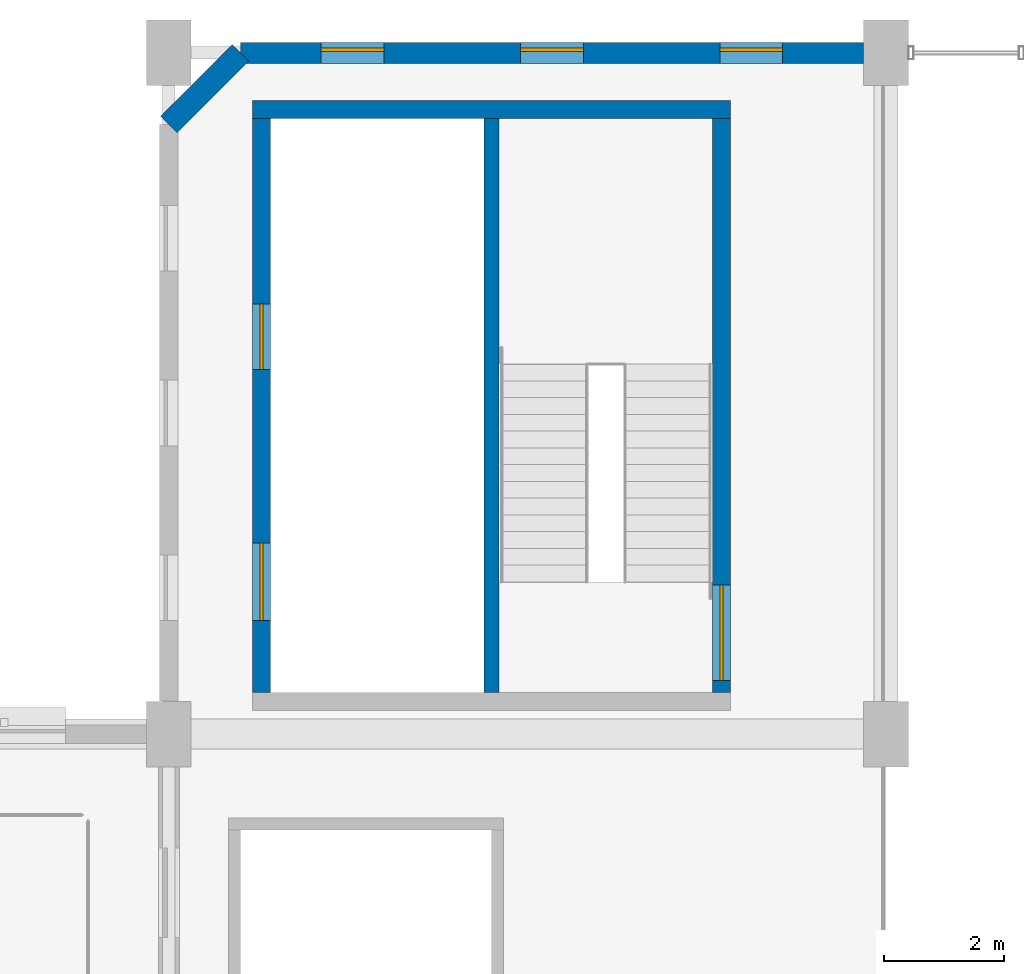
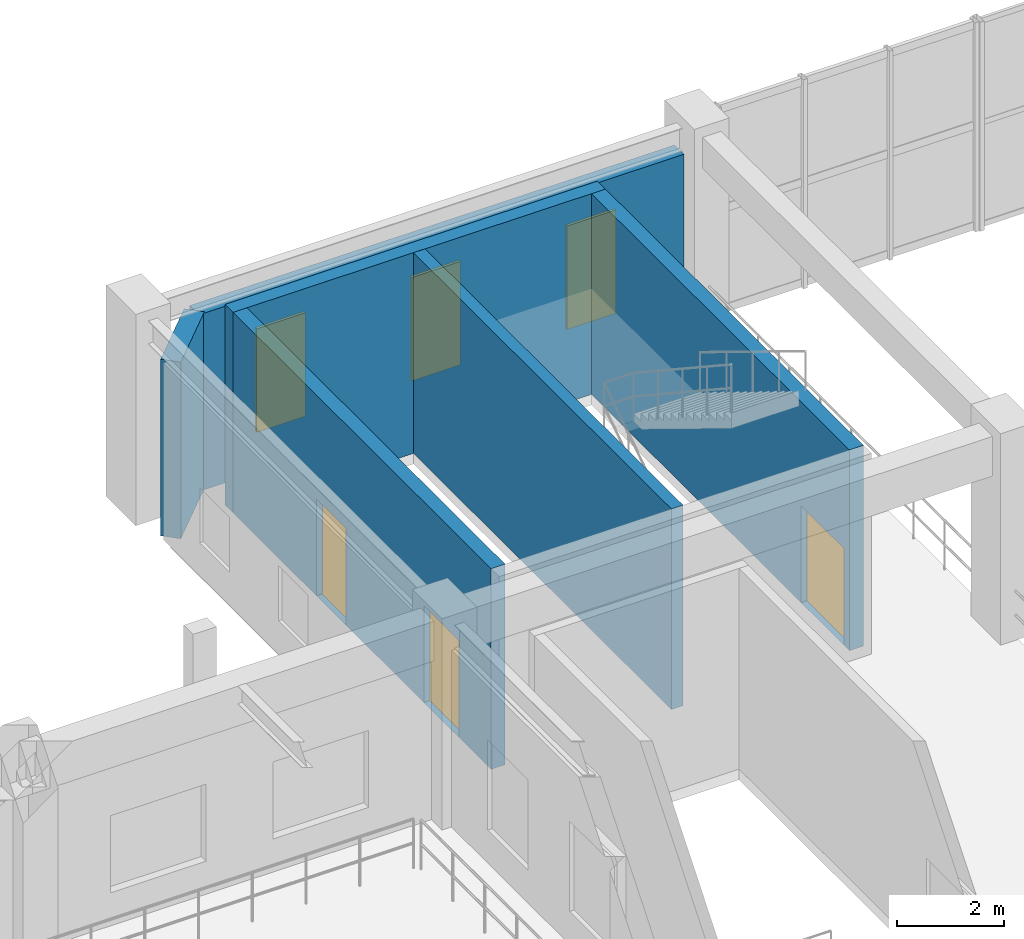
# One storey, part 88 of 106: 6 walls, 3 doors, 3 windows, 6 openings.
"""IFC4 building model written with IfcOpenShell, lengths in metres."""

from ifc_helpers import new_model, si_unit, direction, frame, frame_2d, origin, place, context, subcontext, project, spatial, rectangle, extrude, material, layer, layer_set, type_object, element, fill, save


model = new_model("IFC4")

# Units and contexts
model_context = context("Model", 3, precision=1e-05, world=origin(), true_north=direction((0.0, 1.0)))
body_context = subcontext(model_context, "Body", "Model", "MODEL_VIEW")
ifc_project = project(units=[si_unit("LENGTHUNIT", "METRE"), si_unit("AREAUNIT", "SQUARE_METRE"), si_unit("VOLUMEUNIT", "CUBIC_METRE"), si_unit("PLANEANGLEUNIT", "RADIAN"), si_unit("MASSUNIT", "GRAM", prefix="KILO"), si_unit("POWERUNIT", "WATT"), si_unit("THERMODYNAMICTEMPERATUREUNIT", "KELVIN")], contexts=[model_context])

# Site, building, storey
site_placement = place(None, origin())
site = spatial("IfcSite", under=ifc_project, at=site_placement, CompositionType="ELEMENT")
building_placement = place(site_placement, origin())
building = spatial("IfcBuilding", under=site, at=building_placement, Name="Kelmbourne Parkland Aquatics Centre", CompositionType="ELEMENT")
storey_placement = place(building_placement, frame((0.0, 0.0, 5.39990234375)))
storey = spatial("IfcBuildingStorey", under=building, at=storey_placement, Name="L01", CompositionType="ELEMENT", Elevation=5.39990234375)

# Walls
ifc_material_1 = material(Name="Concrete C40/50", Category="concrete")
ifc_layer_1 = layer(ifc_material_1, 0.25)
ifc_layer_set_1 = layer_set([ifc_layer_1], Name="Concrete C40/50")
wall_type_1 = type_object("IfcWallType", Name="W-CORE-250", PredefinedType="SHEAR", material=ifc_layer_set_1)
wall_1_placement = place(storey_placement, frame((133.39990234375, 104.10009765625, 0.0), z_axis=(0.0, 0.0, 1.0), x_axis=(0.0, 1.0, 0.0)))
element("IfcWall", 1, at=wall_1_placement, inside=storey, type_object=wall_type_1, Name="North Diving Control Fire-Fighting Core divider wall (L01)", PredefinedType="SHEAR", context=body_context, shape_type="SweptSolid", body=[
    extrude(rectangle(XDim=9.599853515625, YDim=0.25, at=frame_2d((4.7998046875, 0.0))), origin(), (0.0, 0.0, 1.0), 4.56005859375),
])
ifc_layer_2 = layer(ifc_material_1, 0.300048828125)
ifc_layer_set_2 = layer_set([ifc_layer_2], Name="Concrete C40/50")
wall_type_2 = type_object("IfcWallType", Name="W-CORE-300", PredefinedType="SHEAR", material=ifc_layer_set_2)
wall_2_placement = place(storey_placement, frame((129.39990234375, 113.85009765625, 0.0), z_axis=(0.0, 0.0, 1.0), x_axis=(1.0, 0.0, 0.0)))
element("IfcWall", 2, at=wall_2_placement, inside=storey, type_object=wall_type_2, Name="North Diving Control Fire-Fighting Core north wall (L01)", PredefinedType="SHEAR", context=body_context, shape_type="SweptSolid", body=[
    extrude(rectangle(XDim=8.0, YDim=0.300048828125, at=frame_2d((4.0, 0.0))), origin(), (0.0, 0.0, 1.0), 4.56005859375),
])

# Wall, openings, doors
wall_3_placement = place(storey_placement, frame((129.550048828125, 104.10009765625, 0.0), z_axis=(0.0, 0.0, 1.0), x_axis=(0.0, 1.0, 0.0)))
wall_3 = element("IfcWall", 3, at=wall_3_placement, inside=storey, type_object=wall_type_2, Name="North Diving Control Fire-Fighting Core west wall (L01)", PredefinedType="SHEAR", context=body_context, shape_type="SweptSolid", body=[
    extrude(rectangle(XDim=9.599853515625, YDim=0.300048828125, at=frame_2d((4.7998046875, 0.0))), origin(), (0.0, 0.0, 1.0), 4.56005859375),
])
opening_1_placement = place(wall_3_placement, frame((1.199951171875, 0.0, 0.0)))
opening_1 = element("IfcOpeningElement", 4, at=opening_1_placement, cuts=wall_3, Name="Opening LD02", PredefinedType="OPENING", context=body_context, shape_type="SweptSolid", body=[
    extrude(rectangle(XDim=1.300048828125, YDim=2.199951171875, at=frame_2d((0.64990234375, 1.10009765625))), frame((0.0, 0.162109375, 0.0), z_axis=(0.0, -1.0, 0.0), x_axis=(1.0, 0.0, 0.0)), (0.0, 0.0, 1.0), 0.323974609375),
])
opening_2_placement = place(wall_3_placement, frame((5.39990234375, 0.0, 0.0)))
opening_2 = element("IfcOpeningElement", 5, at=opening_2_placement, cuts=wall_3, Name="Opening LD01", PredefinedType="OPENING", context=body_context, shape_type="SweptSolid", body=[
    extrude(rectangle(XDim=1.10009765625, YDim=2.199951171875, at=frame_2d((0.550048828125, 1.10009765625))), frame((0.0, 0.162109375, 0.0), z_axis=(0.0, -1.0, 0.0), x_axis=(1.0, 0.0, 0.0)), (0.0, 0.0, 1.0), 0.323974609375),
])
ifc_material_2 = material(Name="Marine-grade stainless steel and fire-rated hardwood doorset", Category="steel")
ifc_layer_3 = layer(ifc_material_2, 0.050048828125)
ifc_layer_set_3 = layer_set([ifc_layer_3], Name="Marine-grade stainless steel and fire-rated hardwood doorset")
door_type_1 = type_object("IfcDoorType", Name="DR-LD-110", OperationType="NOTDEFINED", PredefinedType="DOOR", material=ifc_layer_set_3)
door_1_placement = place(opening_2_placement, origin())
door_1 = element("IfcDoor", 6, at=door_1_placement, inside=storey, type_object=door_type_1, Name="Lift landing sliding door LF08 (L01)", OperationType="SLIDING_TO_RIGHT", OverallHeight=2.199951171875, OverallWidth=1.10009765625, PredefinedType="DOOR", context=body_context, shape_type="SweptSolid", body=[
    extrude(rectangle(XDim=1.10009765625, YDim=2.199951171875, at=frame_2d((0.550048828125, 1.10009765625))), frame((0.0, 0.02490234375, 0.0), z_axis=(0.0, -1.0, 0.0), x_axis=(1.0, 0.0, 0.0)), (0.0, 0.0, 1.0), 0.050048828125),
])
fill(opening_2, door_1)
ifc_layer_4 = layer(ifc_material_2, 0.050048828125)
ifc_layer_set_4 = layer_set([ifc_layer_4], Name="Marine-grade stainless steel and fire-rated hardwood doorset")
door_type_2 = type_object("IfcDoorType", Name="DR-LD-130", OperationType="NOTDEFINED", PredefinedType="DOOR", material=ifc_layer_set_4)
door_2_placement = place(opening_1_placement, origin())
door_2 = element("IfcDoor", 7, at=door_2_placement, inside=storey, type_object=door_type_2, Name="Lift landing sliding door LF07 (L01)", OperationType="SLIDING_TO_LEFT", OverallHeight=2.199951171875, OverallWidth=1.300048828125, PredefinedType="DOOR", context=body_context, shape_type="SweptSolid", body=[
    extrude(rectangle(XDim=1.300048828125, YDim=2.199951171875, at=frame_2d((0.64990234375, 1.10009765625))), frame((0.0, 0.02490234375, 0.0), z_axis=(0.0, -1.0, 0.0), x_axis=(1.0, 0.0, 0.0)), (0.0, 0.0, 1.0), 0.050048828125),
])
fill(opening_1, door_2)

# Wall, opening, door
wall_4_placement = place(storey_placement, frame((137.25, 104.10009765625, 0.0), z_axis=(0.0, 0.0, 1.0), x_axis=(0.0, 1.0, 0.0)))
wall_4 = element("IfcWall", 8, at=wall_4_placement, inside=storey, type_object=wall_type_2, Name="North Diving Control Fire-Fighting Core east wall (L01)", PredefinedType="SHEAR", context=body_context, shape_type="SweptSolid", body=[
    extrude(rectangle(XDim=9.599853515625, YDim=0.300048828125, at=frame_2d((4.7998046875, 0.0))), origin(), (0.0, 0.0, 1.0), 4.56005859375),
])
opening_3_placement = place(wall_4_placement, frame((0.199951171875, 0.0, 0.0)))
opening_3 = element("IfcOpeningElement", 9, at=opening_3_placement, cuts=wall_4, Name="Opening FD02", PredefinedType="OPENING", context=body_context, shape_type="SweptSolid", body=[
    extrude(rectangle(XDim=1.60009765625, YDim=2.199951171875, at=frame_2d((0.800048828125, 1.10009765625))), frame((0.0, 0.162109375, 0.0), z_axis=(0.0, -1.0, 0.0), x_axis=(1.0, 0.0, 0.0)), (0.0, 0.0, 1.0), 0.323974609375),
])
ifc_layer_5 = layer(ifc_material_2, 0.050048828125)
ifc_layer_set_5 = layer_set([ifc_layer_5], Name="Marine-grade stainless steel and fire-rated hardwood doorset")
door_type_3 = type_object("IfcDoorType", Name="DR-FD-160", OperationType="NOTDEFINED", PredefinedType="DOOR", material=ifc_layer_set_5)
door_3_placement = place(opening_3_placement, frame((1.60009765625, 0.0, 0.0), z_axis=(0.0, 0.0, 1.0), x_axis=(-1.0, 0.0, 0.0)))
door_3 = element("IfcDoor", 10, at=door_3_placement, inside=storey, type_object=door_type_3, Name="Fire stair door ST05 (L01)", OperationType="DOUBLE_DOOR_SINGLE_SWING", OverallHeight=2.199951171875, OverallWidth=1.60009765625, PredefinedType="DOOR", context=body_context, shape_type="SweptSolid", body=[
    extrude(rectangle(XDim=1.60009765625, YDim=2.199951171875, at=frame_2d((0.800048828125, 1.10009765625))), frame((0.0, 0.02490234375, 0.0), z_axis=(0.0, -1.0, 0.0), x_axis=(1.0, 0.0, 0.0)), (0.0, 0.0, 1.0), 0.050048828125),
])
fill(opening_3, door_3)

# Wall, openings, windows
ifc_material_3 = material(Name="Polychrome glazed brick header coursework", Category="masonry")
ifc_layer_6 = layer(ifc_material_3, 0.35009765625)
ifc_layer_set_6 = layer_set([ifc_layer_6], Name="Polychrome glazed brick header coursework")
wall_type_3 = type_object("IfcWallType", Name="W-EXT-350", PredefinedType="STANDARD", material=ifc_layer_set_6)
wall_5_placement = place(storey_placement, frame((129.199951171875, 114.800048828125, 0.0), z_axis=(0.0, 0.0, 1.0), x_axis=(1.0, 0.0, 0.0)))
wall_5 = element("IfcWall", 11, at=wall_5_placement, inside=storey, type_object=wall_type_3, Name="Exterior polychrome brick wall EW-L01-091", PredefinedType="STANDARD", context=body_context, shape_type="SweptSolid", body=[
    extrude(rectangle(XDim=10.423095703125, YDim=0.35009765625, at=frame_2d((5.21142578125, 0.0))), origin(), (0.0, 0.0, 1.0), 4.01220703125),
])
opening_4_placement = place(wall_5_placement, frame((1.35009765625, 0.0, 0.75)))
opening_4 = element("IfcOpeningElement", 12, at=opening_4_placement, cuts=wall_5, Name="Opening W17", PredefinedType="OPENING", context=body_context, shape_type="SweptSolid", body=[
    extrude(rectangle(XDim=1.050048828125, YDim=2.35009765625, at=frame_2d((0.52490234375, 1.175048828125))), frame((0.0, 0.18701171875, 0.0), z_axis=(0.0, -1.0, 0.0), x_axis=(1.0, 0.0, 0.0)), (0.0, 0.0, 1.0), 0.3740234375),
])
opening_5_placement = place(wall_5_placement, frame((4.6865234375, 0.0, 0.75)))
opening_5 = element("IfcOpeningElement", 13, at=opening_5_placement, cuts=wall_5, Name="Opening W17", PredefinedType="OPENING", context=body_context, shape_type="SweptSolid", body=[
    extrude(rectangle(XDim=1.050048828125, YDim=2.35009765625, at=frame_2d((0.52490234375, 1.175048828125))), frame((0.0, 0.18701171875, 0.0), z_axis=(0.0, -1.0, 0.0), x_axis=(1.0, 0.0, 0.0)), (0.0, 0.0, 1.0), 0.3740234375),
])
opening_6_placement = place(wall_5_placement, frame((8.02294921875, 0.0, 0.75)))
opening_6 = element("IfcOpeningElement", 14, at=opening_6_placement, cuts=wall_5, Name="Opening W17", PredefinedType="OPENING", context=body_context, shape_type="SweptSolid", body=[
    extrude(rectangle(XDim=1.050048828125, YDim=2.35009765625, at=frame_2d((0.52490234375, 1.175048828125))), frame((0.0, 0.18701171875, 0.0), z_axis=(0.0, -1.0, 0.0), x_axis=(1.0, 0.0, 0.0)), (0.0, 0.0, 1.0), 0.3740234375),
])
ifc_material_4 = material(Name="Thermally broken anodised aluminium window with low-e glass", Category="aluminium")
ifc_layer_7 = layer(ifc_material_4, 0.090087890625)
ifc_layer_set_7 = layer_set([ifc_layer_7], Name="Thermally broken anodised aluminium window with low-e glass")
window_type = type_object("IfcWindowType", Name="WN-17", PartitioningType="SINGLE_PANEL", PredefinedType="WINDOW", material=ifc_layer_set_7)
window_1_placement = place(opening_4_placement, origin())
window_1 = element("IfcWindow", 15, at=window_1_placement, inside=storey, type_object=window_type, Name="Deep-reveal masonry window W17", OverallHeight=2.35009765625, OverallWidth=1.050048828125, PartitioningType="SINGLE_PANEL", PredefinedType="WINDOW", context=body_context, shape_type="SweptSolid", body=[
    extrude(rectangle(XDim=1.050048828125, YDim=2.35009765625, at=frame_2d((0.52490234375, 1.175048828125))), frame((0.0, 0.080078125, 0.0), z_axis=(0.0, -1.0, 0.0), x_axis=(1.0, 0.0, 0.0)), (0.0, 0.0, 1.0), 0.06005859375),
])
fill(opening_4, window_1)
window_2_placement = place(opening_5_placement, origin())
window_2 = element("IfcWindow", 16, at=window_2_placement, inside=storey, type_object=window_type, Name="Deep-reveal masonry window W17", OverallHeight=2.35009765625, OverallWidth=1.050048828125, PartitioningType="SINGLE_PANEL", PredefinedType="WINDOW", context=body_context, shape_type="SweptSolid", body=[
    extrude(rectangle(XDim=1.050048828125, YDim=2.35009765625, at=frame_2d((0.52490234375, 1.175048828125))), frame((0.0, 0.080078125, 0.0), z_axis=(0.0, -1.0, 0.0), x_axis=(1.0, 0.0, 0.0)), (0.0, 0.0, 1.0), 0.06005859375),
])
fill(opening_5, window_2)
window_3_placement = place(opening_6_placement, origin())
window_3 = element("IfcWindow", 17, at=window_3_placement, inside=storey, type_object=window_type, Name="Deep-reveal masonry window W17", OverallHeight=2.35009765625, OverallWidth=1.050048828125, PartitioningType="SINGLE_PANEL", PredefinedType="WINDOW", context=body_context, shape_type="SweptSolid", body=[
    extrude(rectangle(XDim=1.050048828125, YDim=2.35009765625, at=frame_2d((0.52490234375, 1.175048828125))), frame((0.0, 0.080078125, 0.0), z_axis=(0.0, -1.0, 0.0), x_axis=(1.0, 0.0, 0.0)), (0.0, 0.0, 1.0), 0.06005859375),
])
fill(opening_6, window_3)

# Wall
ifc_material_5 = material(Name="Russet clinker clay brickwork", Category="masonry")
ifc_layer_8 = layer(ifc_material_5, 0.389892578125)
ifc_layer_set_8 = layer_set([ifc_layer_8], Name="Russet clinker clay brickwork")
wall_type_4 = type_object("IfcWallType", Name="W-EXT-390", PredefinedType="STANDARD", material=ifc_layer_set_8)
wall_6_placement = place(storey_placement, frame((128.0, 113.60009765625, 0.0), z_axis=(0.0, 0.0, 1.0), x_axis=(0.707106781187, 0.707106781187, 0.0)))
element("IfcWall", 18, at=wall_6_placement, inside=storey, type_object=wall_type_4, Name="Stepped brick corner bevel CHAM-L01-V2", PredefinedType="STANDARD", context=body_context, shape_type="SweptSolid", body=[
    extrude(rectangle(XDim=1.697021484375, YDim=0.389892578125, at=frame_2d((0.8486328125, 0.0))), origin(), (0.0, 0.0, 1.0), 4.01220703125),
])

save(model, "model.ifc")
